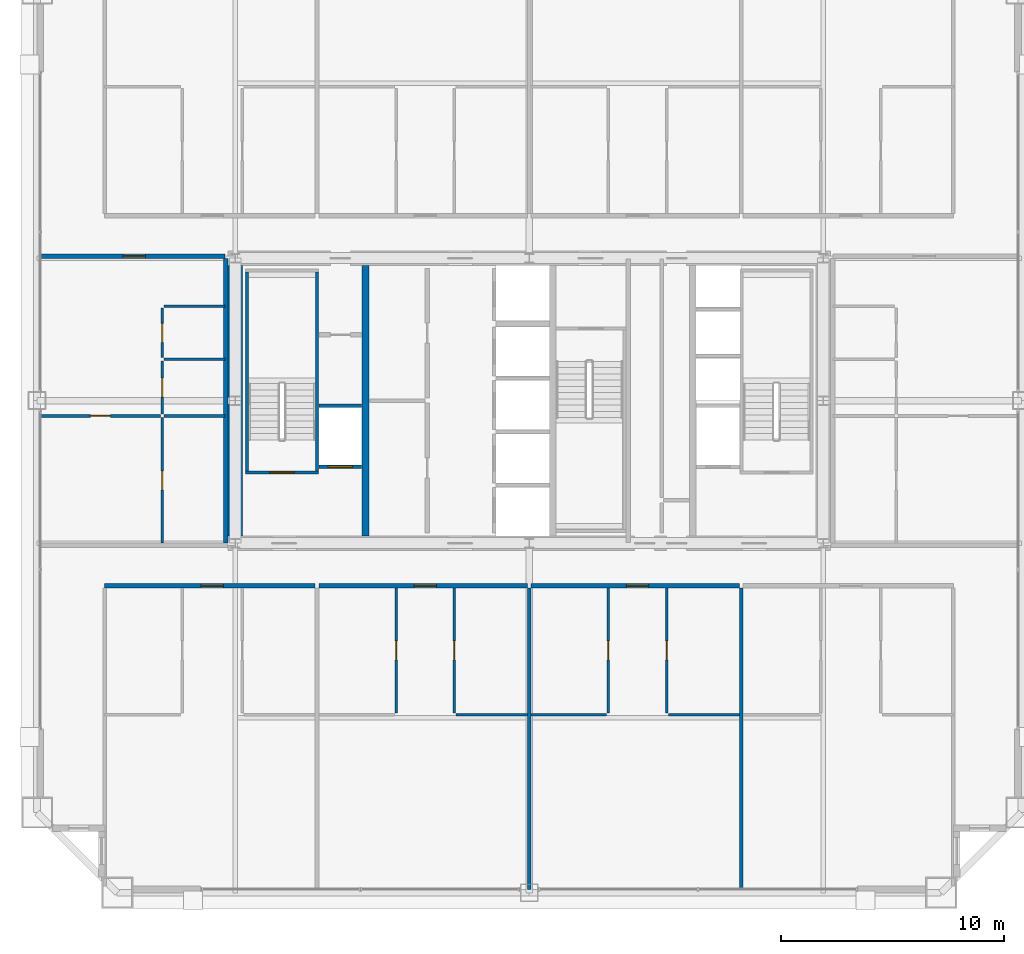
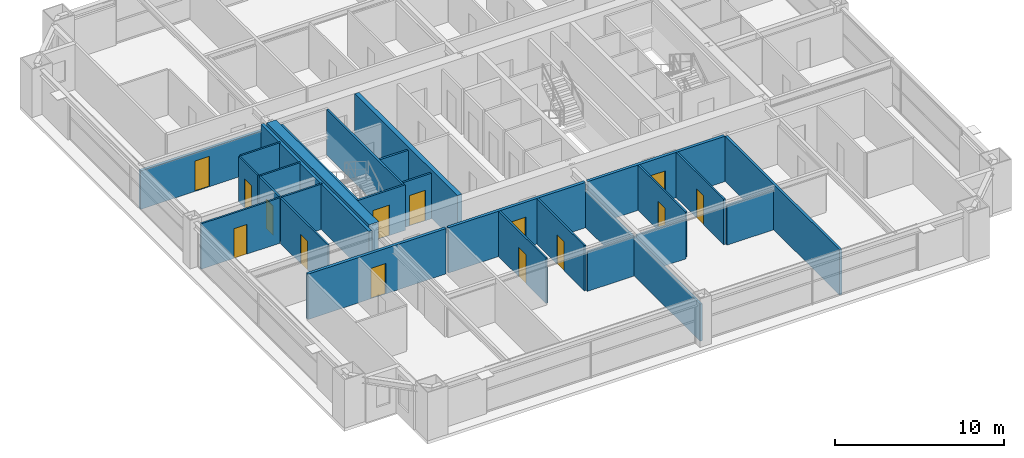
# One storey, part 33 of 38: 28 walls, 14 doors, 14 openings.
"""IFC4 building model written with IfcOpenShell, lengths in metres."""

from ifc_helpers import new_model, si_unit, direction, frame, frame_2d, origin, place, context, subcontext, project, spatial, rectangle, extrude, source, transform, mapped, material, layer, layer_set, type_object, element, fill, save


model = new_model("IFC4")

# Units and contexts
model_context = context("Model", 3, precision=1e-05, world=origin(), true_north=direction((0.0, 1.0)))
body_context = subcontext(model_context, "Body", "Model", "MODEL_VIEW")
ifc_project = project(units=[si_unit("LENGTHUNIT", "METRE"), si_unit("AREAUNIT", "SQUARE_METRE"), si_unit("VOLUMEUNIT", "CUBIC_METRE"), si_unit("PLANEANGLEUNIT", "RADIAN"), si_unit("MASSUNIT", "GRAM", prefix="KILO"), si_unit("THERMODYNAMICTEMPERATUREUNIT", "KELVIN"), si_unit("POWERUNIT", "WATT")], contexts=[model_context])

# Site, building, storey
site_placement = place(None, origin())
site = spatial("IfcSite", under=ifc_project, at=site_placement, CompositionType="ELEMENT")
building_placement = place(site_placement, origin())
building = spatial("IfcBuilding", under=site, at=building_placement, Name="Yuzanri Waterfront Tower", CompositionType="ELEMENT")
storey_placement = place(building_placement, frame((0.0, 0.0, 188.0)))
storey = spatial("IfcBuildingStorey", under=building, at=storey_placement, Name="L49", CompositionType="ELEMENT", Elevation=188.0)

# Wall, opening, door
ifc_material_1 = material(Name="Moisture-Resistant Gypsum Stud Wall", Category="gypsum")
ifc_layer_1 = layer(ifc_material_1, 0.1201171875)
ifc_layer_set_1 = layer_set([ifc_layer_1], Name="Moisture-Resistant Gypsum Stud Wall")
wall_type_1 = type_object("IfcWallType", Name="Bathroom and Kitchen Wet Partition 120", PredefinedType="PARTITIONING", material=ifc_layer_set_1)
wall_1_placement = place(storey_placement, frame((31.02392578125, 11.780029296875, 0.0), z_axis=(0.0, 0.0, 1.0), x_axis=(0.0, 1.0, 0.0)))
wall_1 = element("IfcWall", 1, at=wall_1_placement, inside=storey, type_object=wall_type_1, Name="L49 Partition UW-L49-RS2-SUB-1-E", PredefinedType="PARTITIONING", context=body_context, shape_type="SweptSolid", body=[
    extrude(rectangle(XDim=5.60986328125, YDim=0.1201171875, at=frame_2d((2.804931640625, 0.0))), origin(), (0.0, 0.0, 1.0), 3.280029296875),
])
opening_1_placement = place(wall_1_placement, frame((2.3798828125, 0.0, 0.0)))
opening_1 = element("IfcOpeningElement", 2, at=opening_1_placement, cuts=wall_1, Name="Opening ID-0850", PredefinedType="OPENING", context=body_context, shape_type="SweptSolid", body=[
    extrude(rectangle(XDim=0.85009765625, YDim=2.10009765625, at=frame_2d((0.425048828125, 1.050048828125))), frame((0.0, 0.074951171875, 0.0), z_axis=(0.0, -1.0, 0.0), x_axis=(1.0, 0.0, 0.0)), (0.0, 0.0, 1.0), 0.14990234375),
])
ifc_material_2 = material(Name="Moisture-Resistant Lacquered Timber", Category="wood")
door_type_1 = type_object("IfcDoorType", Name="En-Suite Bathroom and Kitchen Swing Door 850x2100", OperationType="NOTDEFINED", PredefinedType="DOOR", material=ifc_material_2)
shared_shape_1 = source(origin(), body_context, "Body", "SweptSolid", [
    extrude(rectangle(XDim=0.85009765625, YDim=2.10009765625, at=frame_2d((0.425048828125, 1.050048828125))), frame((0.0, 0.02490234375, 0.0), z_axis=(0.0, -1.0, 0.0), x_axis=(1.0, 0.0, 0.0)), (0.0, 0.0, 1.0), 0.050048828125),
])
door_1_placement = place(opening_1_placement, origin())
door_1 = element("IfcDoor", 3, at=door_1_placement, inside=storey, type_object=door_type_1, Name="L49 Suite Interior Room Door", OperationType="SINGLE_SWING_RIGHT", OverallHeight=2.10009765625, OverallWidth=0.85009765625, PredefinedType="DOOR", context=body_context, shape_type="MappedRepresentation", body=[
    mapped(shared_shape_1, transform((0.0, 0.0, 0.0), scale=1.0)),
])
fill(opening_1, door_1)

wall_2_placement = place(storey_placement, frame((33.639892578125, 11.780029296875, 0.0), z_axis=(0.0, 0.0, 1.0), x_axis=(0.0, 1.0, 0.0)))
wall_2 = element("IfcWall", 4, at=wall_2_placement, inside=storey, type_object=wall_type_1, Name="L49 Partition UW-L49-RS2-SUB-2-W", PredefinedType="PARTITIONING", context=body_context, shape_type="SweptSolid", body=[
    extrude(rectangle(XDim=5.60986328125, YDim=0.1201171875, at=frame_2d((2.804931640625, 0.0))), origin(), (0.0, 0.0, 1.0), 3.280029296875),
])
opening_2_placement = place(wall_2_placement, frame((2.3798828125, 0.0, 0.0)))
opening_2 = element("IfcOpeningElement", 5, at=opening_2_placement, cuts=wall_2, Name="Opening ID-0850", PredefinedType="OPENING", context=body_context, shape_type="SweptSolid", body=[
    extrude(rectangle(XDim=0.85009765625, YDim=2.10009765625, at=frame_2d((0.425048828125, 1.050048828125))), frame((0.0, 0.074951171875, 0.0), z_axis=(0.0, -1.0, 0.0), x_axis=(1.0, 0.0, 0.0)), (0.0, 0.0, 1.0), 0.14990234375),
])
door_2_placement = place(opening_2_placement, origin())
door_2 = element("IfcDoor", 6, at=door_2_placement, inside=storey, type_object=door_type_1, Name="L49 Suite Interior Room Door", OperationType="SINGLE_SWING_LEFT", OverallHeight=2.10009765625, OverallWidth=0.85009765625, PredefinedType="DOOR", context=body_context, shape_type="MappedRepresentation", body=[
    mapped(shared_shape_1, transform((0.0, 0.0, 0.0), scale=1.0)),
])
fill(opening_2, door_2)

wall_3_placement = place(storey_placement, frame((40.553955078125, 11.780029296875, 0.0), z_axis=(0.0, 0.0, 1.0), x_axis=(0.0, 1.0, 0.0)))
wall_3 = element("IfcWall", 7, at=wall_3_placement, inside=storey, type_object=wall_type_1, Name="L49 Partition UW-L49-RS3-SUB-1-E", PredefinedType="PARTITIONING", context=body_context, shape_type="SweptSolid", body=[
    extrude(rectangle(XDim=5.60986328125, YDim=0.1201171875, at=frame_2d((2.804931640625, 0.0))), origin(), (0.0, 0.0, 1.0), 3.280029296875),
])
opening_3_placement = place(wall_3_placement, frame((2.3798828125, 0.0, 0.0)))
opening_3 = element("IfcOpeningElement", 8, at=opening_3_placement, cuts=wall_3, Name="Opening ID-0850", PredefinedType="OPENING", context=body_context, shape_type="SweptSolid", body=[
    extrude(rectangle(XDim=0.85009765625, YDim=2.10009765625, at=frame_2d((0.425048828125, 1.050048828125))), frame((0.0, 0.074951171875, 0.0), z_axis=(0.0, -1.0, 0.0), x_axis=(1.0, 0.0, 0.0)), (0.0, 0.0, 1.0), 0.14990234375),
])
door_3_placement = place(opening_3_placement, origin())
door_3 = element("IfcDoor", 9, at=door_3_placement, inside=storey, type_object=door_type_1, Name="L49 Suite Interior Room Door", OperationType="SINGLE_SWING_LEFT", OverallHeight=2.10009765625, OverallWidth=0.85009765625, PredefinedType="DOOR", context=body_context, shape_type="MappedRepresentation", body=[
    mapped(shared_shape_1, transform((0.0, 0.0, 0.0), scale=1.0)),
])
fill(opening_3, door_3)

wall_4_placement = place(storey_placement, frame((43.169921875, 11.780029296875, 0.0), z_axis=(0.0, 0.0, 1.0), x_axis=(0.0, 1.0, 0.0)))
wall_4 = element("IfcWall", 10, at=wall_4_placement, inside=storey, type_object=wall_type_1, Name="L49 Partition UW-L49-RS3-SUB-2-W", PredefinedType="PARTITIONING", context=body_context, shape_type="SweptSolid", body=[
    extrude(rectangle(XDim=5.60986328125, YDim=0.1201171875, at=frame_2d((2.804931640625, 0.0))), origin(), (0.0, 0.0, 1.0), 3.280029296875),
])
opening_4_placement = place(wall_4_placement, frame((2.3798828125, 0.0, 0.0)))
opening_4 = element("IfcOpeningElement", 11, at=opening_4_placement, cuts=wall_4, Name="Opening ID-0850", PredefinedType="OPENING", context=body_context, shape_type="SweptSolid", body=[
    extrude(rectangle(XDim=0.85009765625, YDim=2.10009765625, at=frame_2d((0.425048828125, 1.050048828125))), frame((0.0, 0.074951171875, 0.0), z_axis=(0.0, -1.0, 0.0), x_axis=(1.0, 0.0, 0.0)), (0.0, 0.0, 1.0), 0.14990234375),
])
door_4_placement = place(opening_4_placement, origin())
door_4 = element("IfcDoor", 12, at=door_4_placement, inside=storey, type_object=door_type_1, Name="L49 Suite Interior Room Door", OperationType="SINGLE_SWING_RIGHT", OverallHeight=2.10009765625, OverallWidth=0.85009765625, PredefinedType="DOOR", context=body_context, shape_type="MappedRepresentation", body=[
    mapped(shared_shape_1, transform((0.0, 0.0, 0.0), scale=1.0)),
])
fill(opening_4, door_4)

wall_5_placement = place(storey_placement, frame((20.52001953125, 25.193115234375, 0.0), z_axis=(0.0, 0.0, 1.0), x_axis=(0.0, 1.0, 0.0)))
wall_5 = element("IfcWall", 13, at=wall_5_placement, inside=storey, type_object=wall_type_1, Name="L49 Partition UW-L49-RW1-SUB-1-W", PredefinedType="PARTITIONING", context=body_context, shape_type="SweptSolid", body=[
    extrude(rectangle(XDim=2.37890625, YDim=0.1201171875, at=frame_2d((1.189453125, 0.0))), origin(), (0.0, 0.0, 1.0), 3.280029296875),
])
opening_5_placement = place(wall_5_placement, frame((0.764404296875, 0.0, 0.0)))
opening_5 = element("IfcOpeningElement", 14, at=opening_5_placement, cuts=wall_5, Name="Opening ID-0850", PredefinedType="OPENING", context=body_context, shape_type="SweptSolid", body=[
    extrude(rectangle(XDim=0.85009765625, YDim=2.10009765625, at=frame_2d((0.425048828125, 1.050048828125))), frame((0.0, 0.074951171875, 0.0), z_axis=(0.0, -1.0, 0.0), x_axis=(1.0, 0.0, 0.0)), (0.0, 0.0, 1.0), 0.14990234375),
])
door_5_placement = place(opening_5_placement, origin())
door_5 = element("IfcDoor", 15, at=door_5_placement, inside=storey, type_object=door_type_1, Name="L49 Suite Interior Room Door", OperationType="SINGLE_SWING_LEFT", OverallHeight=2.10009765625, OverallWidth=0.85009765625, PredefinedType="DOOR", context=body_context, shape_type="MappedRepresentation", body=[
    mapped(shared_shape_1, transform((0.0, 0.0, 0.0), scale=1.0)),
])
fill(opening_5, door_5)

wall_6_placement = place(storey_placement, frame((20.52001953125, 27.73193359375, 0.0), z_axis=(0.0, 0.0, 1.0), x_axis=(0.0, 1.0, 0.0)))
wall_6 = element("IfcWall", 16, at=wall_6_placement, inside=storey, type_object=wall_type_1, Name="L49 Partition UW-L49-RW1-SUB-2-W", PredefinedType="PARTITIONING", context=body_context, shape_type="SweptSolid", body=[
    extrude(rectangle(XDim=2.218994140625, YDim=0.1201171875, at=frame_2d((1.109375, 0.0))), origin(), (0.0, 0.0, 1.0), 3.280029296875),
])
opening_6_placement = place(wall_6_placement, frame((0.6845703125, 0.0, 0.0)))
opening_6 = element("IfcOpeningElement", 17, at=opening_6_placement, cuts=wall_6, Name="Opening ID-0850", PredefinedType="OPENING", context=body_context, shape_type="SweptSolid", body=[
    extrude(rectangle(XDim=0.85009765625, YDim=2.10009765625, at=frame_2d((0.425048828125, 1.050048828125))), frame((0.0, 0.074951171875, 0.0), z_axis=(0.0, -1.0, 0.0), x_axis=(1.0, 0.0, 0.0)), (0.0, 0.0, 1.0), 0.14990234375),
])
door_6_placement = place(opening_6_placement, origin())
door_6 = element("IfcDoor", 18, at=door_6_placement, inside=storey, type_object=door_type_1, Name="L49 Suite Interior Room Door", OperationType="SINGLE_SWING_RIGHT", OverallHeight=2.10009765625, OverallWidth=0.85009765625, PredefinedType="DOOR", context=body_context, shape_type="MappedRepresentation", body=[
    mapped(shared_shape_1, transform((0.0, 0.0, 0.0), scale=1.0)),
])
fill(opening_6, door_6)

wall_7_placement = place(storey_placement, frame((15.050048828125, 25.113037109375, 0.0), z_axis=(0.0, 0.0, 1.0), x_axis=(1.0, 0.0, 0.0)))
wall_7 = element("IfcWall", 19, at=wall_7_placement, inside=storey, type_object=wall_type_1, Name="L49 Partition UW-L49-RW1-SUB-3-N", PredefinedType="PARTITIONING", context=body_context, shape_type="SweptSolid", body=[
    extrude(rectangle(XDim=5.389892578125, YDim=0.1201171875, at=frame_2d((2.69482421875, 0.0))), origin(), (0.0, 0.0, 1.0), 3.280029296875),
])
opening_7_placement = place(wall_7_placement, frame((2.2451171875, 0.0, 0.0)))
opening_7 = element("IfcOpeningElement", 20, at=opening_7_placement, cuts=wall_7, Name="Opening ID-0900", PredefinedType="OPENING", context=body_context, shape_type="SweptSolid", body=[
    extrude(rectangle(XDim=0.89990234375, YDim=2.14990234375, at=frame_2d((0.449951171875, 1.074951171875))), frame((0.0, 0.074951171875, 0.0), z_axis=(0.0, -1.0, 0.0), x_axis=(1.0, 0.0, 0.0)), (0.0, 0.0, 1.0), 0.14990234375),
])
ifc_material_3 = material(Name="Stained Walnut Veneer Timber", Category="wood")
door_type_2 = type_object("IfcDoorType", Name="Bedroom and Study Interior Swing Door 900x2150", OperationType="NOTDEFINED", PredefinedType="DOOR", material=ifc_material_3)
shared_shape_2 = source(origin(), body_context, "Body", "SweptSolid", [
    extrude(rectangle(XDim=0.89990234375, YDim=2.14990234375, at=frame_2d((0.449951171875, 1.074951171875))), frame((0.0, 0.02490234375, 0.0), z_axis=(0.0, -1.0, 0.0), x_axis=(1.0, 0.0, 0.0)), (0.0, 0.0, 1.0), 0.050048828125),
])
door_7_placement = place(opening_7_placement, origin())
door_7 = element("IfcDoor", 21, at=door_7_placement, inside=storey, type_object=door_type_2, Name="L49 Suite Interior Room Door", OperationType="SINGLE_SWING_LEFT", OverallHeight=2.14990234375, OverallWidth=0.89990234375, PredefinedType="DOOR", context=body_context, shape_type="MappedRepresentation", body=[
    mapped(shared_shape_2, transform((0.0, 0.0, 0.0), scale=1.0)),
])
fill(opening_7, door_7)

wall_8_placement = place(storey_placement, frame((20.52001953125, 19.409912109375, 0.0), z_axis=(0.0, 0.0, 1.0), x_axis=(0.0, 1.0, 0.0)))
wall_8 = element("IfcWall", 22, at=wall_8_placement, inside=storey, type_object=wall_type_1, Name="L49 Partition UW-L49-RW1-SUB-3-E", PredefinedType="PARTITIONING", context=body_context, shape_type="SweptSolid", body=[
    extrude(rectangle(XDim=5.623046875, YDim=0.1201171875, at=frame_2d((2.8115234375, 0.0))), origin(), (0.0, 0.0, 1.0), 3.280029296875),
])
opening_8_placement = place(wall_8_placement, frame((2.386474609375, 0.0, 0.0)))
opening_8 = element("IfcOpeningElement", 23, at=opening_8_placement, cuts=wall_8, Name="Opening ID-0850", PredefinedType="OPENING", context=body_context, shape_type="SweptSolid", body=[
    extrude(rectangle(XDim=0.85009765625, YDim=2.10009765625, at=frame_2d((0.425048828125, 1.050048828125))), frame((0.0, 0.074951171875, 0.0), z_axis=(0.0, -1.0, 0.0), x_axis=(1.0, 0.0, 0.0)), (0.0, 0.0, 1.0), 0.14990234375),
])
door_8_placement = place(opening_8_placement, origin())
door_8 = element("IfcDoor", 24, at=door_8_placement, inside=storey, type_object=door_type_1, Name="L49 Suite Interior Room Door", OperationType="SINGLE_SWING_RIGHT", OverallHeight=2.10009765625, OverallWidth=0.85009765625, PredefinedType="DOOR", context=body_context, shape_type="MappedRepresentation", body=[
    mapped(shared_shape_1, transform((0.0, 0.0, 0.0), scale=1.0)),
])
fill(opening_8, door_8)

ifc_material_4 = material(Name="Concrete C40", Category="concrete")
ifc_layer_2 = layer(ifc_material_4, 0.139892578125)
ifc_layer_set_2 = layer_set([ifc_layer_2], Name="Concrete C40")
wall_type_2 = type_object("IfcWallType", Name="Core Stair Liner and Hoistway Shaft Wall 140", PredefinedType="SOLIDWALL", material=ifc_layer_set_2)
wall_9_placement = place(storey_placement, frame((27.56005859375, 22.830078125, 0.0), z_axis=(0.0, 0.0, 1.0), x_axis=(1.0, 0.0, 0.0)))
wall_9 = element("IfcWall", 25, at=wall_9_placement, inside=storey, type_object=wall_type_2, Name="L49 Lift FL-01 Front Shaft Wall", PredefinedType="SOLIDWALL", context=body_context, shape_type="SweptSolid", body=[
    extrude(rectangle(XDim=1.919921875, YDim=0.139892578125, at=frame_2d((0.9599609375, 0.0))), origin(), (0.0, 0.0, 1.0), 3.280029296875),
])
opening_9_placement = place(wall_9_placement, frame((0.409912109375, 0.0, 0.0)))
opening_9 = element("IfcOpeningElement", 26, at=opening_9_placement, cuts=wall_9, Name="Opening LD-FL-01", PredefinedType="OPENING", context=body_context, shape_type="SweptSolid", body=[
    extrude(rectangle(XDim=1.10009765625, YDim=2.199951171875, at=frame_2d((0.550048828125, 1.10009765625))), frame((0.0, 0.0849609375, 0.0), z_axis=(0.0, -1.0, 0.0), x_axis=(1.0, 0.0, 0.0)), (0.0, 0.0, 1.0), 0.169677734375),
])
ifc_material_5 = material(Name="Brushed Bronze and Stainless Steel Cab", Category="steel")
door_type_3 = type_object("IfcDoorType", Name="Center-Parting Bronze Lift Landing Sliding Door 1100x2200", OperationType="NOTDEFINED", PredefinedType="DOOR", material=ifc_material_5)
shared_shape_3 = source(origin(), body_context, "Body", "SweptSolid", [
    extrude(rectangle(XDim=1.10009765625, YDim=2.199951171875, at=frame_2d((0.550048828125, 1.10009765625))), frame((0.0, 0.02490234375, 0.0), z_axis=(0.0, -1.0, 0.0), x_axis=(1.0, 0.0, 0.0)), (0.0, 0.0, 1.0), 0.050048828125),
])
door_9_placement = place(opening_9_placement, origin())
door_9 = element("IfcDoor", 27, at=door_9_placement, inside=storey, type_object=door_type_3, Name="L49 FL-01 Lift Landing Sliding Door", OperationType="SLIDING_TO_LEFT", OverallHeight=2.199951171875, OverallWidth=1.10009765625, PredefinedType="DOOR", context=body_context, shape_type="MappedRepresentation", body=[
    mapped(shared_shape_3, transform((0.0, 0.0, 0.0), scale=1.0)),
])
fill(opening_9, door_9)

wall_10_placement = place(storey_placement, frame((24.260009765625, 22.570068359375, 0.0), z_axis=(0.0, 0.0, 1.0), x_axis=(1.0, 0.0, 0.0)))
wall_10 = element("IfcWall", 28, at=wall_10_placement, inside=storey, type_object=wall_type_2, Name="L49 Shaft Wall STW-L49-ST-01-S", PredefinedType="SOLIDWALL", context=body_context, shape_type="SweptSolid", body=[
    extrude(rectangle(XDim=3.280029296875, YDim=0.139892578125, at=frame_2d((1.64013671875, 0.0))), origin(), (0.0, 0.0, 1.0), 3.280029296875),
])
opening_10_placement = place(wall_10_placement, frame((1.090087890625, 0.0, 0.0)))
opening_10 = element("IfcOpeningElement", 29, at=opening_10_placement, cuts=wall_10, Name="Opening FD-1100", PredefinedType="OPENING", context=body_context, shape_type="SweptSolid", body=[
    extrude(rectangle(XDim=1.10009765625, YDim=2.199951171875, at=frame_2d((0.550048828125, 1.10009765625))), frame((0.0, 0.0849609375, 0.0), z_axis=(0.0, -1.0, 0.0), x_axis=(1.0, 0.0, 0.0)), (0.0, 0.0, 1.0), 0.169677734375),
])
ifc_material_6 = material(Name="Painted Galvanized Fire Steel", Category="steel")
door_type_4 = type_object("IfcDoorType", Name="Smoke-Proof Stair and Lobby Fire Door 1100x2200", OperationType="NOTDEFINED", PredefinedType="DOOR", material=ifc_material_6)
shared_shape_4 = source(origin(), body_context, "Body", "SweptSolid", [
    extrude(rectangle(XDim=1.10009765625, YDim=2.199951171875, at=frame_2d((0.550048828125, 1.10009765625))), frame((0.0, 0.02490234375, 0.0), z_axis=(0.0, -1.0, 0.0), x_axis=(1.0, 0.0, 0.0)), (0.0, 0.0, 1.0), 0.050048828125),
])
door_10_placement = place(opening_10_placement, origin())
door_10 = element("IfcDoor", 30, at=door_10_placement, inside=storey, type_object=door_type_4, Name="L49 Stair ST-01 Fire Door", OperationType="SINGLE_SWING_LEFT", OverallHeight=2.199951171875, OverallWidth=1.10009765625, PredefinedType="DOOR", context=body_context, shape_type="MappedRepresentation", body=[
    mapped(shared_shape_4, transform((0.0, 0.0, 0.0), scale=1.0)),
])
fill(opening_10, door_10)

ifc_material_7 = material(Name="Autoclaved Aerated Concrete Blockwork", Category="masonry")
ifc_layer_3 = layer(ifc_material_7, 0.199951171875)
ifc_layer_set_3 = layer_set([ifc_layer_3], Name="Autoclaved Aerated Concrete Blockwork")
wall_type_3 = type_object("IfcWallType", Name="Corridor and Unit Party Fire Wall 200", PredefinedType="PARTITIONING", material=ifc_layer_set_3)
wall_11_placement = place(storey_placement, frame((17.93994140625, 17.489990234375, 0.0), z_axis=(0.0, 0.0, 1.0), x_axis=(1.0, 0.0, 0.0)))
wall_11 = element("IfcWall", 31, at=wall_11_placement, inside=storey, type_object=wall_type_3, Name="L49 Partition UW-L49-RS1-CN", PredefinedType="PARTITIONING", context=body_context, shape_type="SweptSolid", body=[
    extrude(rectangle(XDim=9.449951171875, YDim=0.199951171875, at=frame_2d((4.72509765625, 0.0))), origin(), (0.0, 0.0, 1.0), 3.280029296875),
])
opening_11_placement = place(wall_11_placement, frame((4.324951171875, 0.0, 0.0)))
opening_11 = element("IfcOpeningElement", 32, at=opening_11_placement, cuts=wall_11, Name="Opening FD-1000", PredefinedType="OPENING", context=body_context, shape_type="SweptSolid", body=[
    extrude(rectangle(XDim=1.0, YDim=2.199951171875, at=frame_2d((0.5, 1.10009765625))), frame((0.0, 0.11474609375, 0.0), z_axis=(0.0, -1.0, 0.0), x_axis=(1.0, 0.0, 0.0)), (0.0, 0.0, 1.0), 0.229736328125),
])
ifc_material_8 = material(Name="Engineered Oak Fire-Rated Timber", Category="wood")
door_type_5 = type_object("IfcDoorType", Name="Guestroom and Apartment Entrance Fire Door 1000x2200", OperationType="NOTDEFINED", PredefinedType="DOOR", material=ifc_material_8)
shared_shape_5 = source(origin(), body_context, "Body", "SweptSolid", [
    extrude(rectangle(XDim=1.0, YDim=2.199951171875, at=frame_2d((0.5, 1.10009765625))), frame((0.0, 0.02490234375, 0.0), z_axis=(0.0, -1.0, 0.0), x_axis=(1.0, 0.0, 0.0)), (0.0, 0.0, 1.0), 0.050048828125),
])
door_11_placement = place(opening_11_placement, origin())
door_11 = element("IfcDoor", 33, at=door_11_placement, inside=storey, type_object=door_type_5, Name="L49 Studio Living and Sleeping Room Entrance Door", OperationType="SINGLE_SWING_RIGHT", OverallHeight=2.199951171875, OverallWidth=1.0, PredefinedType="DOOR", context=body_context, shape_type="MappedRepresentation", body=[
    mapped(shared_shape_5, transform((0.0, 0.0, 0.0), scale=1.0)),
])
fill(opening_11, door_11)

wall_12_placement = place(storey_placement, frame((27.550048828125, 17.489990234375, 0.0), z_axis=(0.0, 0.0, 1.0), x_axis=(1.0, 0.0, 0.0)))
wall_12 = element("IfcWall", 34, at=wall_12_placement, inside=storey, type_object=wall_type_3, Name="L49 Partition UW-L49-RS2-CN", PredefinedType="PARTITIONING", context=body_context, shape_type="SweptSolid", body=[
    extrude(rectangle(XDim=9.369873046875, YDim=0.199951171875, at=frame_2d((4.68505859375, 0.0))), origin(), (0.0, 0.0, 1.0), 3.280029296875),
])
opening_12_placement = place(wall_12_placement, frame((4.281982421875, 0.0, 0.0)))
opening_12 = element("IfcOpeningElement", 35, at=opening_12_placement, cuts=wall_12, Name="Opening FD-1000", PredefinedType="OPENING", context=body_context, shape_type="SweptSolid", body=[
    extrude(rectangle(XDim=1.0, YDim=2.199951171875, at=frame_2d((0.5, 1.10009765625))), frame((0.0, 0.11474609375, 0.0), z_axis=(0.0, -1.0, 0.0), x_axis=(1.0, 0.0, 0.0)), (0.0, 0.0, 1.0), 0.229736328125),
])
door_12_placement = place(opening_12_placement, origin())
door_12 = element("IfcDoor", 36, at=door_12_placement, inside=storey, type_object=door_type_5, Name="L49 Studio Living and Sleeping Room Entrance Door", OperationType="SINGLE_SWING_LEFT", OverallHeight=2.199951171875, OverallWidth=1.0, PredefinedType="DOOR", context=body_context, shape_type="MappedRepresentation", body=[
    mapped(shared_shape_5, transform((0.0, 0.0, 0.0), scale=1.0)),
])
fill(opening_12, door_12)

wall_13_placement = place(storey_placement, frame((37.080078125, 17.489990234375, 0.0), z_axis=(0.0, 0.0, 1.0), x_axis=(1.0, 0.0, 0.0)))
wall_13 = element("IfcWall", 37, at=wall_13_placement, inside=storey, type_object=wall_type_3, Name="L49 Partition UW-L49-RS3-CN", PredefinedType="PARTITIONING", context=body_context, shape_type="SweptSolid", body=[
    extrude(rectangle(XDim=9.369873046875, YDim=0.199951171875, at=frame_2d((4.68505859375, 0.0))), origin(), (0.0, 0.0, 1.0), 3.280029296875),
])
opening_13_placement = place(wall_13_placement, frame((4.281982421875, 0.0, 0.0)))
opening_13 = element("IfcOpeningElement", 38, at=opening_13_placement, cuts=wall_13, Name="Opening FD-1000", PredefinedType="OPENING", context=body_context, shape_type="SweptSolid", body=[
    extrude(rectangle(XDim=1.0, YDim=2.199951171875, at=frame_2d((0.5, 1.10009765625))), frame((0.0, 0.11474609375, 0.0), z_axis=(0.0, -1.0, 0.0), x_axis=(1.0, 0.0, 0.0)), (0.0, 0.0, 1.0), 0.229736328125),
])
door_13_placement = place(opening_13_placement, origin())
door_13 = element("IfcDoor", 39, at=door_13_placement, inside=storey, type_object=door_type_5, Name="L49 Studio Living and Sleeping Room Entrance Door", OperationType="SINGLE_SWING_RIGHT", OverallHeight=2.199951171875, OverallWidth=1.0, PredefinedType="DOOR", context=body_context, shape_type="MappedRepresentation", body=[
    mapped(shared_shape_5, transform((0.0, 0.0, 0.0), scale=1.0)),
])
fill(opening_13, door_13)

wall_14_placement = place(storey_placement, frame((15.050048828125, 32.2900390625, 0.0), z_axis=(0.0, 0.0, 1.0), x_axis=(1.0, 0.0, 0.0)))
wall_14 = element("IfcWall", 40, at=wall_14_placement, inside=storey, type_object=wall_type_3, Name="L49 Partition UW-L49-RW1-CN", PredefinedType="PARTITIONING", context=body_context, shape_type="SweptSolid", body=[
    extrude(rectangle(XDim=8.300048828125, YDim=0.199951171875, at=frame_2d((4.14990234375, 0.0))), origin(), (0.0, 0.0, 1.0), 2.77490234375),
])
opening_14_placement = place(wall_14_placement, frame((3.715087890625, 0.0, 0.0)))
opening_14 = element("IfcOpeningElement", 41, at=opening_14_placement, cuts=wall_14, Name="Opening FD-1000", PredefinedType="OPENING", context=body_context, shape_type="SweptSolid", body=[
    extrude(rectangle(XDim=1.0, YDim=2.199951171875, at=frame_2d((0.5, 1.10009765625))), frame((0.0, 0.11474609375, 0.0), z_axis=(0.0, -1.0, 0.0), x_axis=(1.0, 0.0, 0.0)), (0.0, 0.0, 1.0), 0.229736328125),
])
door_14_placement = place(opening_14_placement, origin())
door_14 = element("IfcDoor", 42, at=door_14_placement, inside=storey, type_object=door_type_5, Name="L49 Wing Residence Living and Dining Room Entrance Door", OperationType="SINGLE_SWING_RIGHT", OverallHeight=2.199951171875, OverallWidth=1.0, PredefinedType="DOOR", context=body_context, shape_type="MappedRepresentation", body=[
    mapped(shared_shape_5, transform((0.0, 0.0, 0.0), scale=1.0)),
])
fill(opening_14, door_14)

# Walls
ifc_material_9 = material(Name="Concrete C50", Category="concrete")
ifc_layer_4 = layer(ifc_material_9, 0.64990234375)
ifc_layer_set_4 = layer_set([ifc_layer_4], Name="Concrete C50")
wall_type_4 = type_object("IfcWallType", Name="Concrete C50 Mid Zone Core Shear Wall 650", PredefinedType="SHEAR", material=ifc_layer_set_4)
shared_shape_6 = source(origin(), body_context, "Body", "SweptSolid", [
    extrude(rectangle(XDim=12.14990234375, YDim=0.64990234375, at=frame_2d((6.074951171875, 0.0))), origin(), (0.0, 0.0, 1.0), 3.5),
])
wall_15_placement = place(storey_placement, frame((23.800048828125, 19.72509765625, 0.0), z_axis=(0.0, 0.0, 1.0), x_axis=(0.0, 1.0, 0.0)))
element("IfcWall", 43, at=wall_15_placement, inside=storey, type_object=wall_type_4, Name="L49 Core West Shear Wall", PredefinedType="SHEAR", context=body_context, shape_type="MappedRepresentation", body=[
    mapped(shared_shape_6, transform((0.0, 0.0, 0.0), scale=1.0)),
])
ifc_material_10 = material(Name="Concrete C50", Category="concrete")
ifc_layer_5 = layer(ifc_material_10, 0.300048828125)
ifc_layer_set_5 = layer_set([ifc_layer_5], Name="Concrete C50")
wall_type_5 = type_object("IfcWallType", Name="Concrete C50 Internal Core Shaft Structural Wall 300", PredefinedType="SOLIDWALL", material=ifc_layer_set_5)
shared_shape_7 = source(origin(), body_context, "Body", "SweptSolid", [
    extrude(rectangle(XDim=12.14990234375, YDim=0.300048828125, at=frame_2d((6.074951171875, 0.0))), origin(), (0.0, 0.0, 1.0), 3.5),
])
wall_16_placement = place(storey_placement, frame((29.64990234375, 19.72509765625, 0.0), z_axis=(0.0, 0.0, 1.0), x_axis=(0.0, 1.0, 0.0)))
element("IfcWall", 44, at=wall_16_placement, inside=storey, type_object=wall_type_5, Name="L49 Core Internal Structural Web Wall 1", PredefinedType="SOLIDWALL", context=body_context, shape_type="MappedRepresentation", body=[
    mapped(shared_shape_7, transform((0.0, 0.0, 0.0), scale=1.0)),
])
shared_shape_8 = source(origin(), body_context, "Body", "SweptSolid", [
    extrude(rectangle(XDim=1.919921875, YDim=0.139892578125, at=frame_2d((0.9599609375, 0.0))), origin(), (0.0, 0.0, 1.0), 3.280029296875),
])
wall_17_placement = place(storey_placement, frame((27.56005859375, 25.570068359375, 0.0), z_axis=(0.0, 0.0, 1.0), x_axis=(1.0, 0.0, 0.0)))
element("IfcWall", 45, at=wall_17_placement, inside=storey, type_object=wall_type_2, Name="L49 Lift FL-01 Back Shaft Wall", PredefinedType="SOLIDWALL", context=body_context, shape_type="MappedRepresentation", body=[
    mapped(shared_shape_8, transform((0.0, 0.0, 0.0), scale=1.0)),
])
shared_shape_9 = source(origin(), body_context, "Body", "SweptSolid", [
    extrude(rectangle(XDim=8.940185546875, YDim=0.139892578125, at=frame_2d((4.47021484375, 0.0))), origin(), (0.0, 0.0, 1.0), 3.280029296875),
])
for number, where, z_axis, x_axis, name in (
    (46, (24.330078125, 22.639892578125, 0.0), (0.0, 0.0, 1.0), (0.0, 1.0, 0.0), "L49 Stair ST-01 West Shaft Wall"),
    (47, (27.469970703125, 22.639892578125, 0.0), (0.0, 0.0, 1.0), (0.0, 1.0, 0.0), "L49 Stair ST-01 East Shaft Wall"),
):
    element("IfcWall", number, at=place(storey_placement, frame(where, z_axis=z_axis, x_axis=x_axis)), inside=storey, type_object=wall_type_2, Name=name, PredefinedType="SOLIDWALL", context=body_context, shape_type="MappedRepresentation", body=[
        mapped(shared_shape_9, transform((0.0, 0.0, 0.0), scale=1.0)),
    ])
ifc_material_11 = material(Name="Gypsum Fireboard Acoustic Stud Wall", Category="gypsum")
ifc_layer_6 = layer(ifc_material_11, 0.159912109375)
ifc_layer_set_6 = layer_set([ifc_layer_6], Name="Gypsum Fireboard Acoustic Stud Wall")
wall_type_6 = type_object("IfcWallType", Name="Acoustic Suite Demising Partition 160", PredefinedType="PARTITIONING", material=ifc_layer_set_6)
shared_shape_10 = source(origin(), body_context, "Body", "SweptSolid", [
    extrude(rectangle(XDim=13.539794921875, YDim=0.159912109375, at=frame_2d((6.77001953125, 0.0))), origin(), (0.0, 0.0, 1.0), 3.280029296875),
])
wall_18_placement = place(storey_placement, frame((46.530029296875, 3.85009765625, 0.0), z_axis=(0.0, 0.0, 1.0), x_axis=(0.0, 1.0, 0.0)))
element("IfcWall", 48, at=wall_18_placement, inside=storey, type_object=wall_type_6, Name="L49-RS3 Party Wall", PredefinedType="PARTITIONING", context=body_context, shape_type="MappedRepresentation", body=[
    mapped(shared_shape_10, transform((0.0, 0.0, 0.0), scale=1.0)),
])
shared_shape_11 = source(origin(), body_context, "Body", "SweptSolid", [
    extrude(rectangle(XDim=3.199951171875, YDim=0.1201171875, at=frame_2d((1.60009765625, 0.0))), origin(), (0.0, 0.0, 1.0), 2.875),
])
for number, where, z_axis, x_axis, name in (
    (49, (33.719970703125, 11.699951171875, 0.0), (0.0, 0.0, 1.0), (1.0, 0.0, 0.0), "L49 Partition UW-L49-RS2-SUB-2-S"),
    (50, (43.25, 11.699951171875, 0.0), (0.0, 0.0, 1.0), (1.0, 0.0, 0.0), "L49 Partition UW-L49-RS3-SUB-2-S"),
):
    element("IfcWall", number, at=place(storey_placement, frame(where, z_axis=z_axis, x_axis=x_axis)), inside=storey, type_object=wall_type_1, Name=name, PredefinedType="PARTITIONING", context=body_context, shape_type="MappedRepresentation", body=[
        mapped(shared_shape_11, transform((0.0, 0.0, 0.0), scale=1.0)),
    ])
shared_shape_12 = source(origin(), body_context, "Body", "SweptSolid", [
    extrude(rectangle(XDim=13.539794921875, YDim=0.159912109375, at=frame_2d((6.77001953125, 0.0))), origin(), (0.0, 0.0, 1.0), 2.68701171875),
])
wall_19_placement = place(storey_placement, frame((37.0, 3.85009765625, 0.0), z_axis=(0.0, 0.0, 1.0), x_axis=(0.0, 1.0, 0.0)))
element("IfcWall", 51, at=wall_19_placement, inside=storey, type_object=wall_type_6, Name="L49-RS2 Party Wall", PredefinedType="PARTITIONING", context=body_context, shape_type="MappedRepresentation", body=[
    mapped(shared_shape_12, transform((0.0, 0.0, 0.0), scale=1.0)),
])
shared_shape_13 = source(origin(), body_context, "Body", "SweptSolid", [
    extrude(rectangle(XDim=3.39404296875, YDim=0.1201171875, at=frame_2d((1.697021484375, 0.0))), origin(), (0.0, 0.0, 1.0), 2.875),
])
wall_20_placement = place(storey_placement, frame((37.080078125, 11.699951171875, 0.0), z_axis=(0.0, 0.0, 1.0), x_axis=(1.0, 0.0, 0.0)))
element("IfcWall", 52, at=wall_20_placement, inside=storey, type_object=wall_type_1, Name="L49 Partition UW-L49-RS3-SUB-1-S", PredefinedType="PARTITIONING", context=body_context, shape_type="MappedRepresentation", body=[
    mapped(shared_shape_13, transform((0.0, 0.0, 0.0), scale=1.0)),
])
shared_shape_14 = source(origin(), body_context, "Body", "SweptSolid", [
    extrude(rectangle(XDim=12.780029296875, YDim=0.199951171875, at=frame_2d((6.39013671875, 0.0))), origin(), (0.0, 0.0, 1.0), 3.280029296875),
])
wall_21_placement = place(storey_placement, frame((23.3701171875, 19.409912109375, 0.0), z_axis=(0.0, 0.0, 1.0), x_axis=(0.0, 1.0, 0.0)))
element("IfcWall", 53, at=wall_21_placement, inside=storey, type_object=wall_type_3, Name="L49-RW1 Wing Inner Core-Side Wall", PredefinedType="PARTITIONING", context=body_context, shape_type="MappedRepresentation", body=[
    mapped(shared_shape_14, transform((0.0, 0.0, 0.0), scale=1.0)),
])
shared_shape_15 = source(origin(), body_context, "Body", "SweptSolid", [
    extrude(rectangle(XDim=2.75, YDim=0.1201171875, at=frame_2d((1.375, 0.0))), origin(), (0.0, 0.0, 1.0), 3.280029296875),
])
for number, where, z_axis, x_axis, name in (
    (54, (20.60009765625, 25.113037109375, 0.0), (0.0, 0.0, 1.0), (1.0, 0.0, 0.0), "L49 Partition UW-L49-RW1-SUB-1-S"),
    (55, (20.60009765625, 27.652099609375, 0.0), (0.0, 0.0, 1.0), (1.0, 0.0, 0.0), "L49 Partition UW-L49-RW1-SUB-1-N"),
    (56, (20.60009765625, 30.031005859375, 0.0), (0.0, 0.0, 1.0), (1.0, 0.0, 0.0), "L49 Partition UW-L49-RW1-SUB-2-N"),
):
    element("IfcWall", number, at=place(storey_placement, frame(where, z_axis=z_axis, x_axis=x_axis)), inside=storey, type_object=wall_type_1, Name=name, PredefinedType="PARTITIONING", context=body_context, shape_type="MappedRepresentation", body=[
        mapped(shared_shape_15, transform((0.0, 0.0, 0.0), scale=1.0)),
    ])

save(model, "model.ifc")
